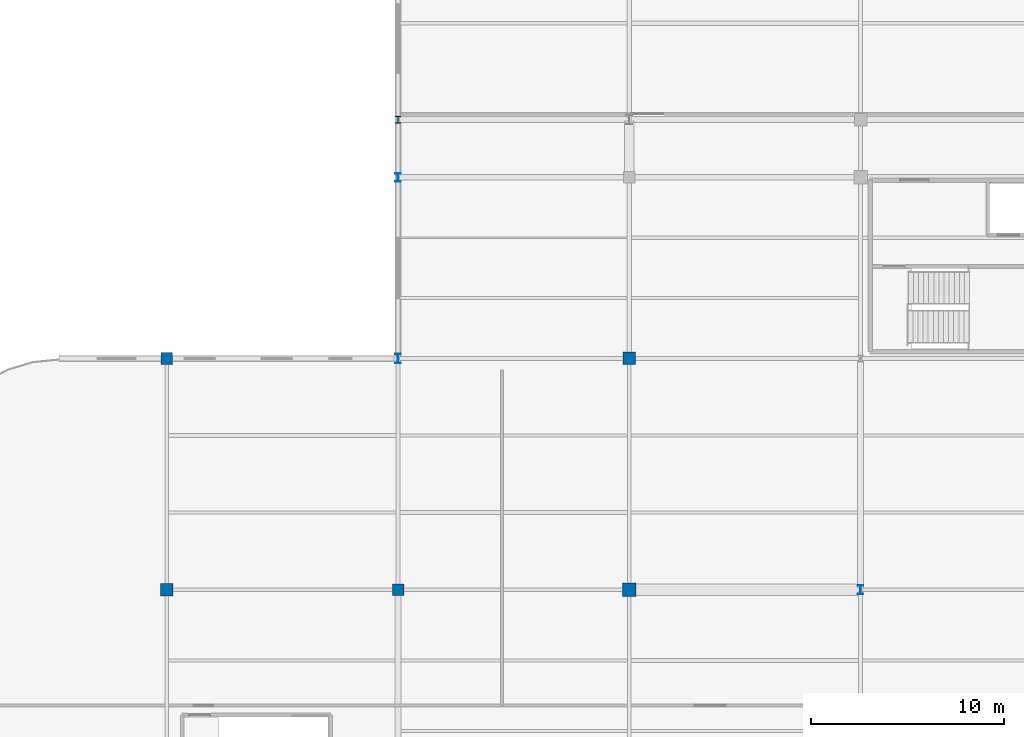
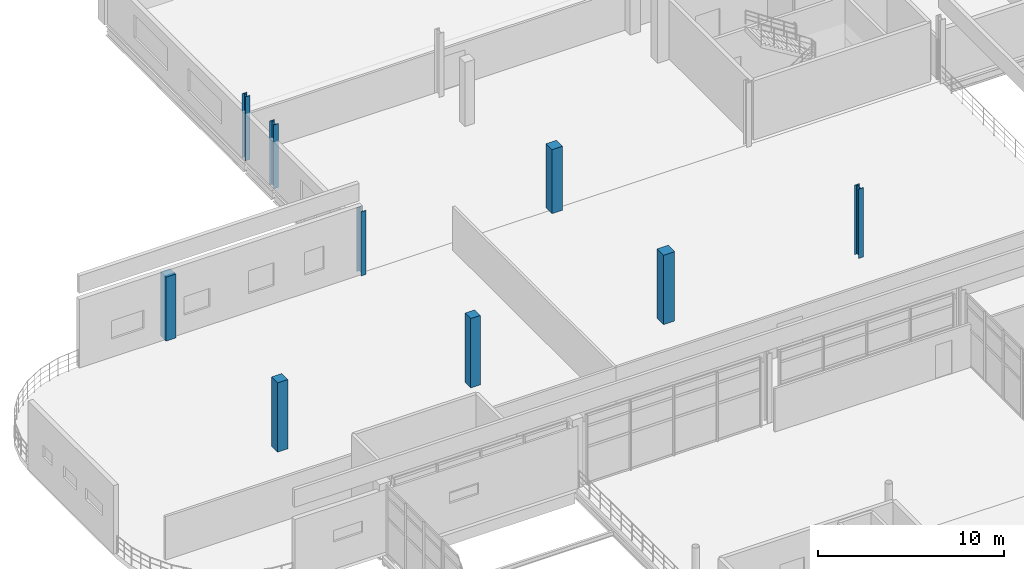
# One storey, part 11 of 89: 9 columns.
"""IFC4 building model written with IfcOpenShell, lengths in metres."""

from ifc_helpers import new_model, si_unit, direction, frame, origin, origin_2d, place, context, subcontext, project, spatial, rectangle, i_section, extrude, material, material_profile, profile_set, type_object, element, save


model = new_model("IFC4")

# Units and contexts
model_context = context("Model", 3, precision=1e-05, world=origin(), true_north=direction((0.0, 1.0)))
body_context = subcontext(model_context, "Body", "Model", "MODEL_VIEW")
ifc_project = project(units=[si_unit("LENGTHUNIT", "METRE"), si_unit("AREAUNIT", "SQUARE_METRE"), si_unit("VOLUMEUNIT", "CUBIC_METRE"), si_unit("PLANEANGLEUNIT", "RADIAN"), si_unit("MASSUNIT", "GRAM", prefix="KILO"), si_unit("THERMODYNAMICTEMPERATUREUNIT", "KELVIN"), si_unit("POWERUNIT", "WATT")], contexts=[model_context])

# Site, building, storey
site_placement = place(None, origin())
site = spatial("IfcSite", under=ifc_project, at=site_placement, CompositionType="ELEMENT")
building_placement = place(site_placement, origin())
building = spatial("IfcBuilding", under=site, at=building_placement, Name="Solmara Park Aquatics Centre", CompositionType="ELEMENT")
storey_placement = place(building_placement, frame((0.0, 0.0, 5.39990234375)))
storey = spatial("IfcBuildingStorey", under=building, at=storey_placement, Name="L01", CompositionType="ELEMENT", Elevation=5.39990234375)

# Columns
ifc_material_1 = material(Name="Structural Steel S355", Category="steel")
ifc_material_profile_1 = material_profile(ifc_material_1, i_section(OverallWidth=0.300048828125, OverallDepth=0.449951171875, WebThickness=0.013916015625, FlangeThickness=0.02587890625, FilletRadius=0.027099609375, at=origin_2d()), Name="HEB 450")
ifc_profile_set_1 = profile_set([ifc_material_profile_1], Name="Structural Steel S355")
column_type_1 = type_object("IfcColumnType", Name="STR-COL-HEB450", PredefinedType="COLUMN", material=ifc_profile_set_1)
column_1_placement = place(storey_placement, frame((24.60009765625, 118.0, 0.0), z_axis=(0.0, 0.0, 1.0), x_axis=(1.0, 0.0, 0.0)))
element("IfcColumn", 1, at=column_1_placement, inside=storey, type_object=column_type_1, Name="Column L01-0335", PredefinedType="COLUMN", context=body_context, shape_type="SweptSolid", body=[
    extrude(i_section(OverallWidth=0.300048828125, OverallDepth=0.449951171875, WebThickness=0.013916015625, FlangeThickness=0.02587890625, FilletRadius=0.027099609375, at=origin_2d()), origin(), (0.0, 0.0, 1.0), 4.2001953125),
])
column_2_placement = place(storey_placement, frame((48.60009765625, 96.60009765625, 0.0), z_axis=(0.0, 0.0, 1.0), x_axis=(1.0, 0.0, 0.0)))
element("IfcColumn", 2, at=column_2_placement, inside=storey, type_object=column_type_1, Name="Column L01-0353", PredefinedType="COLUMN", context=body_context, shape_type="SweptSolid", body=[
    extrude(i_section(OverallWidth=0.300048828125, OverallDepth=0.449951171875, WebThickness=0.013916015625, FlangeThickness=0.02587890625, FilletRadius=0.027099609375, at=origin_2d()), origin(), (0.0, 0.0, 1.0), 4.56005859375),
])
ifc_material_profile_2 = material_profile(ifc_material_1, i_section(OverallWidth=0.300048828125, OverallDepth=0.5, WebThickness=0.014404296875, FlangeThickness=0.028076171875, FilletRadius=0.027099609375, at=origin_2d()), Name="HEB 500")
ifc_profile_set_2 = profile_set([ifc_material_profile_2], Name="Structural Steel S355")
column_type_2 = type_object("IfcColumnType", Name="STR-COL-HEB500", PredefinedType="COLUMN", material=ifc_profile_set_2)
column_3_placement = place(storey_placement, frame((24.60009765625, 108.60009765625, 0.0), z_axis=(0.0, 0.0, 1.0), x_axis=(1.0, 0.0, 0.0)))
element("IfcColumn", 3, at=column_3_placement, inside=storey, type_object=column_type_2, Name="Column L01-0334", PredefinedType="COLUMN", context=body_context, shape_type="SweptSolid", body=[
    extrude(i_section(OverallWidth=0.300048828125, OverallDepth=0.5, WebThickness=0.014404296875, FlangeThickness=0.028076171875, FilletRadius=0.027099609375, at=origin_2d()), origin(), (0.0, 0.0, 1.0), 4.2001953125),
])
ifc_material_2 = material(Name="Concrete C40/50", Category="concrete")
ifc_material_profile_3 = material_profile(ifc_material_2, rectangle(XDim=0.60009765625, YDim=0.60009765625, at=origin_2d()), Name="RC 600x600")
ifc_profile_set_3 = profile_set([ifc_material_profile_3], Name="Concrete C40/50")
column_type_3 = type_object("IfcColumnType", Name="STR-COL-RC600", PredefinedType="COLUMN", material=ifc_profile_set_3)
column_4_placement = place(storey_placement, frame((12.60009765625, 108.60009765625, 0.0), z_axis=(0.0, 0.0, 1.0), x_axis=(1.0, 0.0, 0.0)))
element("IfcColumn", 4, at=column_4_placement, inside=storey, type_object=column_type_3, Name="Column L01-0327", PredefinedType="COLUMN", context=body_context, shape_type="SweptSolid", body=[
    extrude(rectangle(XDim=0.60009765625, YDim=0.60009765625, at=origin_2d()), origin(), (0.0, 0.0, 1.0), 4.2001953125),
])
column_5_placement = place(storey_placement, frame((24.60009765625, 96.60009765625, 0.0), z_axis=(0.0, 0.0, 1.0), x_axis=(1.0, 0.0, 0.0)))
element("IfcColumn", 5, at=column_5_placement, inside=storey, type_object=column_type_3, Name="Column L01-0333", PredefinedType="COLUMN", context=body_context, shape_type="SweptSolid", body=[
    extrude(rectangle(XDim=0.60009765625, YDim=0.60009765625, at=origin_2d()), origin(), (0.0, 0.0, 1.0), 4.56005859375),
])
ifc_material_profile_4 = material_profile(ifc_material_2, rectangle(XDim=0.64990234375, YDim=0.64990234375, at=origin_2d()), Name="RC 650x650")
ifc_profile_set_4 = profile_set([ifc_material_profile_4], Name="Concrete C40/50")
column_type_4 = type_object("IfcColumnType", Name="STR-COL-RC650", PredefinedType="COLUMN", material=ifc_profile_set_4)
column_6_placement = place(storey_placement, frame((12.60009765625, 96.60009765625, 0.0), z_axis=(0.0, 0.0, 1.0), x_axis=(1.0, 0.0, 0.0)))
element("IfcColumn", 6, at=column_6_placement, inside=storey, type_object=column_type_4, Name="Column L01-0326", PredefinedType="COLUMN", context=body_context, shape_type="SweptSolid", body=[
    extrude(rectangle(XDim=0.64990234375, YDim=0.64990234375, at=origin_2d()), origin(), (0.0, 0.0, 1.0), 4.56005859375),
])
column_7_placement = place(storey_placement, frame((36.60009765625, 108.60009765625, 0.0), z_axis=(0.0, 0.0, 1.0), x_axis=(1.0, 0.0, 0.0)))
element("IfcColumn", 7, at=column_7_placement, inside=storey, type_object=column_type_4, Name="Column L01-0344", PredefinedType="COLUMN", context=body_context, shape_type="SweptSolid", body=[
    extrude(rectangle(XDim=0.64990234375, YDim=0.64990234375, at=origin_2d()), origin(), (0.0, 0.0, 1.0), 4.2001953125),
])
ifc_material_profile_5 = material_profile(ifc_material_2, rectangle(XDim=0.699951171875, YDim=0.699951171875, at=origin_2d()), Name="RC 700x700")
ifc_profile_set_5 = profile_set([ifc_material_profile_5], Name="Concrete C40/50")
column_type_5 = type_object("IfcColumnType", Name="STR-COL-RC700", PredefinedType="COLUMN", material=ifc_profile_set_5)
column_8_placement = place(storey_placement, frame((36.60009765625, 96.60009765625, 0.0), z_axis=(0.0, 0.0, 1.0), x_axis=(1.0, 0.0, 0.0)))
element("IfcColumn", 8, at=column_8_placement, inside=storey, type_object=column_type_5, Name="Column L01-0343", PredefinedType="COLUMN", context=body_context, shape_type="SweptSolid", body=[
    extrude(rectangle(XDim=0.699951171875, YDim=0.699951171875, at=origin_2d()), origin(), (0.0, 0.0, 1.0), 4.56005859375),
])
ifc_material_profile_6 = material_profile(ifc_material_1, i_section(OverallWidth=0.300048828125, OverallDepth=0.360107421875, WebThickness=0.012451171875, FlangeThickness=0.0224609375, FilletRadius=0.027099609375, at=origin_2d()), Name="HEB 360")
ifc_profile_set_6 = profile_set([ifc_material_profile_6], Name="Structural Steel S355")
column_type_6 = type_object("IfcColumnType", Name="STR-PIL-HEB360", PredefinedType="PILASTER", material=ifc_profile_set_6)
column_9_placement = place(storey_placement, frame((24.60009765625, 121.0, 0.0), z_axis=(0.0, 0.0, 1.0), x_axis=(1.0, 0.0, 0.0)))
element("IfcColumn", 9, at=column_9_placement, inside=storey, type_object=column_type_6, Name="Column L01-0336", PredefinedType="PILASTER", context=body_context, shape_type="SweptSolid", body=[
    extrude(i_section(OverallWidth=0.300048828125, OverallDepth=0.360107421875, WebThickness=0.012451171875, FlangeThickness=0.0224609375, FilletRadius=0.027099609375, at=origin_2d()), origin(), (0.0, 0.0, 1.0), 4.2001953125),
])

save(model, "model.ifc")
